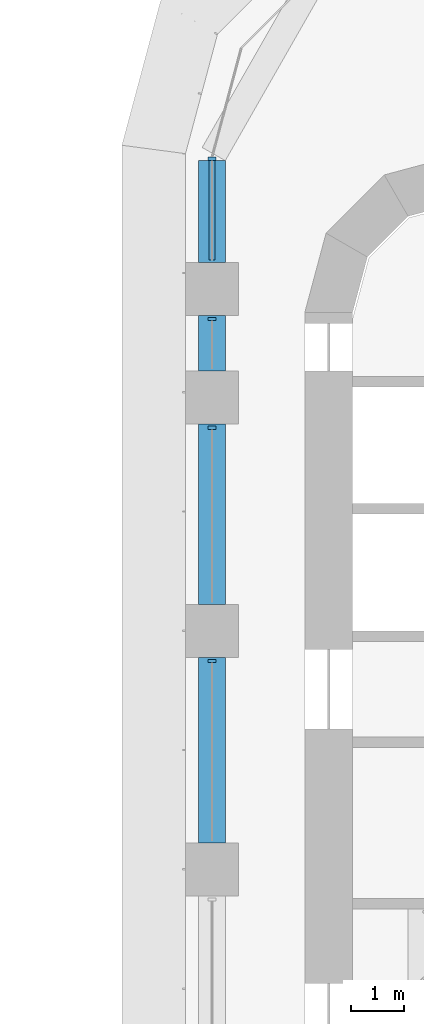
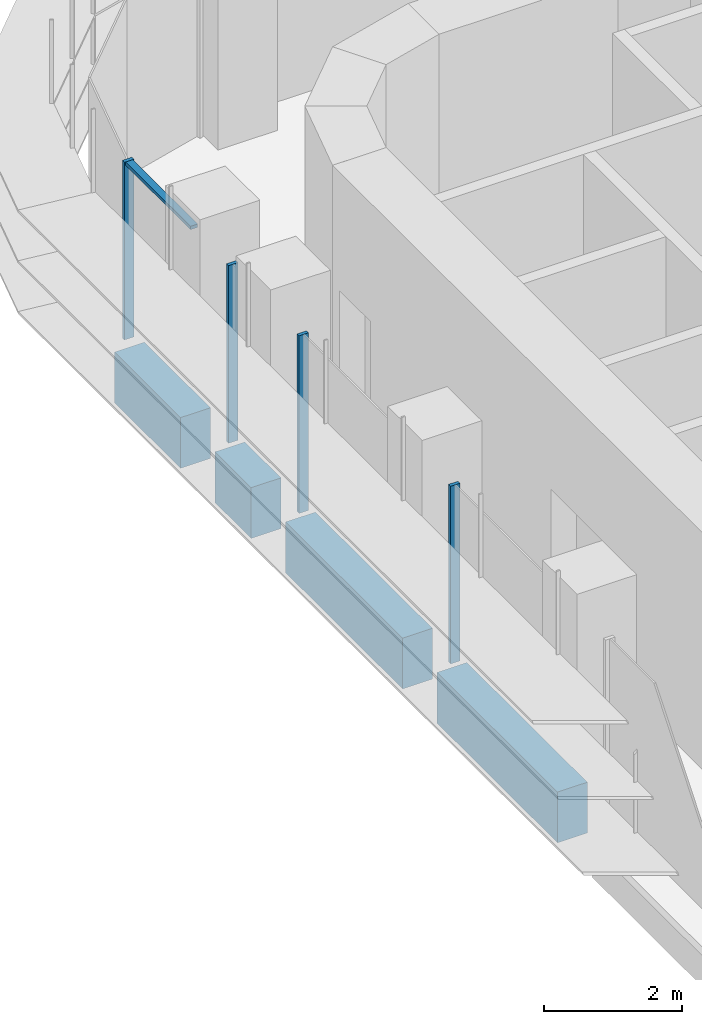
# One storey, part 7 of 23: 5 members, 4 beams, 1 element without a shape of its own.
"""IFC4 building model written with IfcOpenShell, lengths in metres."""

from ifc_helpers import new_model, si_unit, direction, frame, origin, origin_2d, place, context, subcontext, project, spatial, polyline, rectangle, outline, extrude, source, transform, mapped, material, material_profile, profile_set, type_object, element, aggregate, save


model = new_model("IFC4")

# Units and contexts
model_context = context("Model", 3, precision=1e-05, world=origin(), true_north=direction((0.0, 1.0)))
body_context = subcontext(model_context, "Body", "Model", "MODEL_VIEW")
ifc_project = project(units=[si_unit("LENGTHUNIT", "METRE"), si_unit("AREAUNIT", "SQUARE_METRE"), si_unit("VOLUMEUNIT", "CUBIC_METRE"), si_unit("PLANEANGLEUNIT", "RADIAN"), si_unit("MASSUNIT", "GRAM", prefix="KILO")], contexts=[model_context])

# Site, building, storey
site_placement = place(None, origin())
site = spatial("IfcSite", under=ifc_project, at=site_placement, CompositionType="ELEMENT")
building_placement = place(site_placement, origin())
building = spatial("IfcBuilding", under=site, at=building_placement, Name="Zarbagh Exchange Tower", CompositionType="ELEMENT")
storey_placement = place(building_placement, frame((0.0, 0.0, 60.60009765625)))
storey = spatial("IfcBuildingStorey", under=building, at=storey_placement, Name="L13", CompositionType="ELEMENT", Elevation=60.60009765625)

# Beams
ifc_material_1 = material(Name="Concrete C60/75", Category="concrete")
ifc_material_profile = material_profile(ifc_material_1, rectangle(XDim=0.5, YDim=0.89990234375, at=origin_2d()), Name="RC spandrel beam 500 x 900 C60/75")
ifc_profile_set = profile_set([ifc_material_profile], Name="Concrete C60/75")
beam_type = type_object("IfcBeamType", Name="RC spandrel beam 500 x 900 C60/75", PredefinedType="SPANDREL", material=ifc_profile_set)
beam_1_placement = place(storey_placement, frame((-6.25, 16.25, -0.60009765625), z_axis=(0.0, 1.0, 0.0), x_axis=(-1.0, 0.0, 0.0)))
element("IfcBeam", 1, at=beam_1_placement, inside=storey, type_object=beam_type, Name="RC spandrel beam", PredefinedType="SPANDREL", context=body_context, shape_type="SweptSolid", body=[
    extrude(rectangle(XDim=0.5, YDim=0.89990234375, at=origin_2d()), origin(), (0.0, 0.0, 1.0), 3.5),
])
beam_2_placement = place(storey_placement, frame((-6.25, 20.75, -0.60009765625), z_axis=(0.0, 1.0, 0.0), x_axis=(-1.0, 0.0, 0.0)))
element("IfcBeam", 2, at=beam_2_placement, inside=storey, type_object=beam_type, Name="RC spandrel beam", PredefinedType="SPANDREL", context=body_context, shape_type="SweptSolid", body=[
    extrude(rectangle(XDim=0.5, YDim=0.89990234375, at=origin_2d()), origin(), (0.0, 0.0, 1.0), 3.39990234375),
])
beam_3_placement = place(storey_placement, frame((-6.25, 25.14990234375, -0.60009765625), z_axis=(0.0, 1.0, 0.0), x_axis=(-1.0, 0.0, 0.0)))
element("IfcBeam", 3, at=beam_3_placement, inside=storey, type_object=beam_type, Name="RC spandrel beam", PredefinedType="SPANDREL", context=body_context, shape_type="SweptSolid", body=[
    extrude(rectangle(XDim=0.5, YDim=0.89990234375, at=origin_2d()), origin(), (0.0, 0.0, 1.0), 1.050048828125),
])
beam_4_placement = place(storey_placement, frame((-6.25, 27.199951171875, -0.60009765625), z_axis=(0.0, 1.0, 0.0), x_axis=(-1.0, 0.0, 0.0)))
element("IfcBeam", 4, at=beam_4_placement, inside=storey, type_object=beam_type, Name="RC spandrel beam", PredefinedType="SPANDREL", context=body_context, shape_type="SweptSolid", body=[
    extrude(rectangle(XDim=0.5, YDim=0.89990234375, at=origin_2d()), origin(), (0.0, 0.0, 1.0), 1.91796875),
])

# Curtain wall, members
ifc_material_2 = material(Name="Anodised aluminium frame and glazing", Category="aluminium")
curtain_wall_type = type_object("IfcCurtainWallType", Name="CWA Ribbon glazing, lower zones", PredefinedType="NOTDEFINED", material=ifc_material_2)
curtain_wall_placement = place(storey_placement, origin())
curtain_wall = element("IfcCurtainWall", 5, at=curtain_wall_placement, inside=storey, type_object=curtain_wall_type, Name="CWA28 curtain wall", PredefinedType="NOTDEFINED")
ifc_material_3 = material(Name="Anodised aluminium frame", Category="aluminium")
member_type_1 = type_object("IfcMemberType", Name="MUA Mullion, anodised aluminium frame", PredefinedType="MULLION", material=ifc_material_3)
shared_shape_1 = source(origin(), body_context, "Body", "SweptSolid", [
    extrude(outline(polyline([(0.0, -0.080078125), (0.06005859375, -0.080078125), (0.06005859375, 0.080078125), (0.0, 0.080078125), (0.0, -0.080078125)])), origin(), (0.0, 0.0, 1.0), 3.14990234375),
])
placement = place(storey_placement, origin())
member_1 = element("IfcMember", 6, at=placement, type_object=member_type_1, Name="CWA28 mullion 1.1", PredefinedType="MULLION", context=body_context, shape_type="MappedRepresentation", body=[
    mapped(shared_shape_1, transform((-6.25, 29.18408203125, 0.0), x_axis=(0.0, -1.0, 0.0), y_axis=(1.0, 0.0, 0.0), z_axis=(0.0, 0.0, 1.0))),
])
member_2 = element("IfcMember", 7, at=placement, type_object=member_type_1, Name="CWA28 mullion 2.1", PredefinedType="MULLION", context=body_context, shape_type="MappedRepresentation", body=[
    mapped(shared_shape_1, transform((-6.25, 26.159912109375, 0.0), x_axis=(0.0, -1.0, 0.0), y_axis=(1.0, 0.0, 0.0), z_axis=(0.0, 0.0, 1.0))),
])
member_3 = element("IfcMember", 8, at=placement, type_object=member_type_1, Name="CWA28 mullion 3.1", PredefinedType="MULLION", context=body_context, shape_type="MappedRepresentation", body=[
    mapped(shared_shape_1, transform((-6.25, 24.10986328125, 0.0), x_axis=(0.0, -1.0, 0.0), y_axis=(1.0, 0.0, 0.0), z_axis=(0.0, 0.0, 1.0))),
])
member_4 = element("IfcMember", 9, at=placement, type_object=member_type_1, Name="CWA28 mullion 4.1", PredefinedType="MULLION", context=body_context, shape_type="MappedRepresentation", body=[
    mapped(shared_shape_1, transform((-6.25, 19.7099609375, 0.0), x_axis=(0.0, -1.0, 0.0), y_axis=(1.0, 0.0, 0.0), z_axis=(0.0, 0.0, 1.0))),
])
member_type_2 = type_object("IfcMemberType", Name="TRA Transom, anodised aluminium frame", PredefinedType="USERDEFINED", material=ifc_material_3)
shared_shape_2 = source(origin(), body_context, "Body", "SweptSolid", [
    extrude(outline(polyline([(-0.06005859375, -0.06005859375), (0.0, -0.06005859375), (0.0, 0.06005859375), (-0.06005859375, 0.06005859375), (-0.06005859375, -0.06005859375)])), origin(), (0.0, 0.0, 1.0), 1.88427734375),
])
member_5 = element("IfcMember", 10, at=placement, type_object=member_type_2, Name="CWA28 transom 1.1", ObjectType="TRANSOM", PredefinedType="USERDEFINED", context=body_context, shape_type="MappedRepresentation", body=[
    mapped(shared_shape_2, transform((-6.25, 29.124267578125, 3.14990234375), x_axis=(0.0, 0.0, 1.0), y_axis=(-1.0, 0.0, 0.0), z_axis=(0.0, -1.0, 0.0))),
])
aggregate(curtain_wall, [member_1, member_5, member_2, member_3, member_4])

save(model, "model.ifc")
